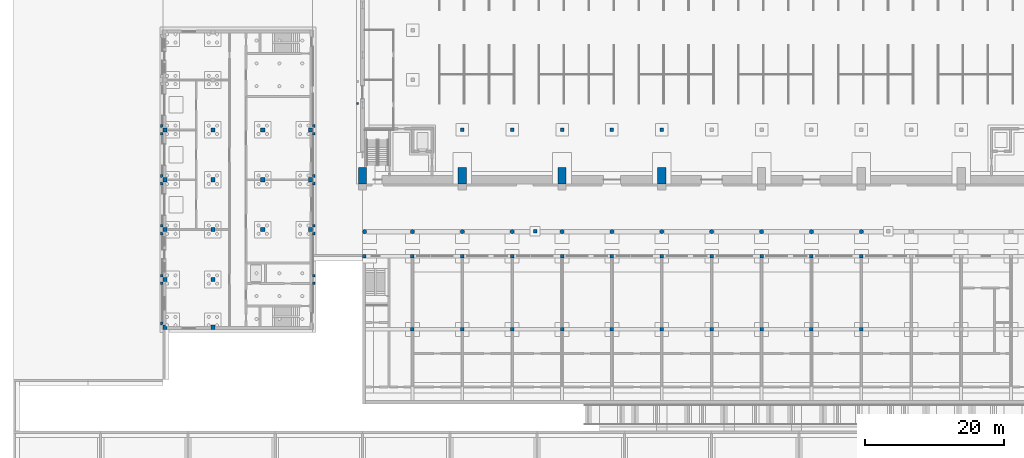
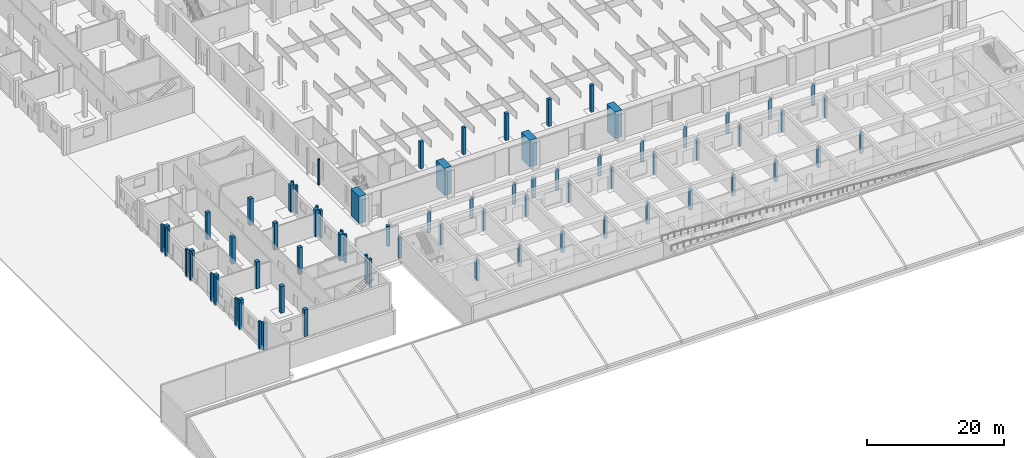
# One storey, part 14 of 73: 76 columns.
"""IFC4 building model written with IfcOpenShell, lengths in metres."""

from ifc_helpers import new_model, si_unit, direction, frame, origin, origin_2d, place, context, subcontext, project, spatial, rectangle, circle, extrude, material, material_profile, profile_set, type_object, element, save


model = new_model("IFC4")

# Units and contexts
model_context = context("Model", 3, precision=1e-05, world=origin(), true_north=direction((0.0, 1.0)))
body_context = subcontext(model_context, "Body", "Model", "MODEL_VIEW")
ifc_project = project(units=[si_unit("LENGTHUNIT", "METRE"), si_unit("AREAUNIT", "SQUARE_METRE"), si_unit("VOLUMEUNIT", "CUBIC_METRE"), si_unit("PLANEANGLEUNIT", "RADIAN"), si_unit("MASSUNIT", "GRAM", prefix="KILO")], contexts=[model_context])

# Site, building, storey
site_placement = place(None, origin())
site = spatial("IfcSite", under=ifc_project, at=site_placement, CompositionType="ELEMENT")
building_placement = place(site_placement, origin())
building = spatial("IfcBuilding", under=site, at=building_placement, Name="Alderwick Market Hall", CompositionType="ELEMENT")
storey_placement = place(building_placement, origin())
storey = spatial("IfcBuildingStorey", under=building, at=storey_placement, Name="LG", CompositionType="ELEMENT", Elevation=0.0)

# Columns
ifc_material_1 = material(Name="Concrete 5000 psi (f'c 35 MPa)", Category="concrete")
ifc_material_profile_1 = material_profile(ifc_material_1, circle(Radius=0.300048828125, at=origin_2d()), Name="A RC Colonnade Column D600")
ifc_profile_set_1 = profile_set([ifc_material_profile_1], Name="Concrete 5000 psi (f'c 35 MPa)")
column_type_1 = type_object("IfcColumnType", Name="A RC Colonnade Column D600", PredefinedType="COLUMN", material=ifc_profile_set_1)
for number, where, z_axis, x_axis, name in (
    (1, (50.699951171875, 42.89990234375, 0.0), (0.0, 0.0, 1.0), (1.0, 0.0, 0.0), "A.S.col.C00"),
    (2, (57.60009765625, 42.89990234375, 0.0), (0.0, 0.0, 1.0), (1.0, 0.0, 0.0), "A.S.col.C01"),
    (3, (64.800048828125, 42.89990234375, 0.0), (0.0, 0.0, 1.0), (1.0, 0.0, 0.0), "A.S.col.C02"),
    (4, (72.0, 42.89990234375, 0.0), (0.0, 0.0, 1.0), (1.0, 0.0, 0.0), "A.S.col.C03"),
    (5, (79.199951171875, 42.89990234375, 0.0), (0.0, 0.0, 1.0), (1.0, 0.0, 0.0), "A.S.col.C04"),
    (6, (86.39990234375, 42.89990234375, 0.0), (0.0, 0.0, 1.0), (1.0, 0.0, 0.0), "A.S.col.C05"),
    (7, (93.60009765625, 42.89990234375, 0.0), (0.0, 0.0, 1.0), (1.0, 0.0, 0.0), "A.S.col.C06"),
    (8, (100.800048828125, 42.89990234375, 0.0), (0.0, 0.0, 1.0), (1.0, 0.0, 0.0), "A.S.col.C07"),
    (9, (108.0, 42.89990234375, 0.0), (0.0, 0.0, 1.0), (1.0, 0.0, 0.0), "A.S.col.C08"),
    (10, (115.199951171875, 42.89990234375, 0.0), (0.0, 0.0, 1.0), (1.0, 0.0, 0.0), "A.S.col.C09"),
    (11, (122.39990234375, 42.89990234375, 0.0), (0.0, 0.0, 1.0), (1.0, 0.0, 0.0), "A.S.col.C10"),
):
    element("IfcColumn", number, at=place(storey_placement, frame(where, z_axis=z_axis, x_axis=x_axis)), inside=storey, type_object=column_type_1, Name=name, PredefinedType="COLUMN", context=body_context, shape_type="SweptSolid", body=[
        extrude(circle(Radius=0.300048828125, at=origin_2d()), origin(), (0.0, 0.0, 1.0), 3.60009765625),
    ])
ifc_material_profile_2 = material_profile(ifc_material_1, rectangle(XDim=0.5, YDim=0.5, at=origin_2d()), Name="A RC Column 500x500")
ifc_profile_set_2 = profile_set([ifc_material_profile_2], Name="Concrete 5000 psi (f'c 35 MPa)")
column_type_2 = type_object("IfcColumnType", Name="A RC Column 500x500", PredefinedType="COLUMN", material=ifc_profile_set_2)
for number, where, z_axis, x_axis, name in (
    (12, (50.64990234375, 39.35009765625, 0.0), (0.0, 0.0, 1.0), (1.0, 0.0, 0.0), "A.S.col.F00"),
    (13, (57.60009765625, 39.35009765625, 0.0), (0.0, 0.0, 1.0), (1.0, 0.0, 0.0), "A.S.col.F01"),
    (14, (64.800048828125, 39.35009765625, 0.0), (0.0, 0.0, 1.0), (1.0, 0.0, 0.0), "A.S.col.F02"),
    (15, (72.0, 39.35009765625, 0.0), (0.0, 0.0, 1.0), (1.0, 0.0, 0.0), "A.S.col.F03"),
    (16, (79.199951171875, 39.35009765625, 0.0), (0.0, 0.0, 1.0), (1.0, 0.0, 0.0), "A.S.col.F04"),
    (17, (86.39990234375, 39.35009765625, 0.0), (0.0, 0.0, 1.0), (1.0, 0.0, 0.0), "A.S.col.F05"),
    (18, (93.60009765625, 39.35009765625, 0.0), (0.0, 0.0, 1.0), (1.0, 0.0, 0.0), "A.S.col.F06"),
    (19, (100.800048828125, 39.35009765625, 0.0), (0.0, 0.0, 1.0), (1.0, 0.0, 0.0), "A.S.col.F07"),
    (20, (108.0, 39.35009765625, 0.0), (0.0, 0.0, 1.0), (1.0, 0.0, 0.0), "A.S.col.F08"),
    (21, (115.199951171875, 39.35009765625, 0.0), (0.0, 0.0, 1.0), (1.0, 0.0, 0.0), "A.S.col.F09"),
    (22, (122.39990234375, 39.35009765625, 0.0), (0.0, 0.0, 1.0), (1.0, 0.0, 0.0), "A.S.col.F10"),
    (23, (57.60009765625, 28.800048828125, 0.0), (0.0, 0.0, 1.0), (1.0, 0.0, 0.0), "A.S.col.M00"),
    (24, (64.800048828125, 28.800048828125, 0.0), (0.0, 0.0, 1.0), (1.0, 0.0, 0.0), "A.S.col.M01"),
    (25, (72.0, 28.800048828125, 0.0), (0.0, 0.0, 1.0), (1.0, 0.0, 0.0), "A.S.col.M02"),
    (26, (79.199951171875, 28.800048828125, 0.0), (0.0, 0.0, 1.0), (1.0, 0.0, 0.0), "A.S.col.M03"),
    (27, (86.39990234375, 28.800048828125, 0.0), (0.0, 0.0, 1.0), (1.0, 0.0, 0.0), "A.S.col.M04"),
    (28, (93.60009765625, 28.800048828125, 0.0), (0.0, 0.0, 1.0), (1.0, 0.0, 0.0), "A.S.col.M05"),
    (29, (100.800048828125, 28.800048828125, 0.0), (0.0, 0.0, 1.0), (1.0, 0.0, 0.0), "A.S.col.M06"),
    (30, (108.0, 28.800048828125, 0.0), (0.0, 0.0, 1.0), (1.0, 0.0, 0.0), "A.S.col.M07"),
    (31, (115.199951171875, 28.800048828125, 0.0), (0.0, 0.0, 1.0), (1.0, 0.0, 0.0), "A.S.col.M08"),
    (32, (122.39990234375, 28.800048828125, 0.0), (0.0, 0.0, 1.0), (1.0, 0.0, 0.0), "A.S.col.M09"),
):
    element("IfcColumn", number, at=place(storey_placement, frame(where, z_axis=z_axis, x_axis=x_axis)), inside=storey, type_object=column_type_2, Name=name, PredefinedType="COLUMN", context=body_context, shape_type="SweptSolid", body=[
        extrude(rectangle(XDim=0.5, YDim=0.5, at=origin_2d()), origin(), (0.0, 0.0, 1.0), 3.699951171875),
    ])
ifc_material_profile_3 = material_profile(ifc_material_1, rectangle(XDim=0.35009765625, YDim=0.39990234375, at=origin_2d()), Name="B Paired Pilaster 350x400")
ifc_profile_set_3 = profile_set([ifc_material_profile_3], Name="Concrete 5000 psi (f'c 35 MPa)")
column_type_3 = type_object("IfcColumnType", Name="B Paired Pilaster 350x400", PredefinedType="COLUMN", material=ifc_profile_set_3)
for number, where, z_axis, x_axis, name in (
    (33, (21.425048828125, 29.64990234375, -0.25), (0.0, 0.0, 1.0), (1.0, 0.0, 0.0), "Pilaster W01"),
    (34, (21.425048828125, 35.449951171875, -0.25), (0.0, 0.0, 1.0), (1.0, 0.0, 0.0), "Pilaster W02"),
    (35, (21.425048828125, 36.550048828125, -0.25), (0.0, 0.0, 1.0), (1.0, 0.0, 0.0), "Pilaster W03"),
    (36, (21.425048828125, 42.64990234375, -0.25), (0.0, 0.0, 1.0), (1.0, 0.0, 0.0), "Pilaster W04"),
    (37, (21.425048828125, 43.75, -0.25), (0.0, 0.0, 1.0), (1.0, 0.0, 0.0), "Pilaster W05"),
    (38, (21.425048828125, 49.85009765625, -0.25), (0.0, 0.0, 1.0), (1.0, 0.0, 0.0), "Pilaster W06"),
    (39, (21.425048828125, 50.949951171875, -0.25), (0.0, 0.0, 1.0), (1.0, 0.0, 0.0), "Pilaster W07"),
    (40, (21.425048828125, 57.050048828125, -0.25), (0.0, 0.0, 1.0), (1.0, 0.0, 0.0), "Pilaster W08"),
    (41, (21.425048828125, 58.14990234375, -0.25), (0.0, 0.0, 1.0), (1.0, 0.0, 0.0), "Pilaster W09"),
    (42, (43.375, 35.449951171875, -0.25), (0.0, 0.0, 1.0), (1.0, 0.0, 0.0), "Pilaster E01"),
    (43, (43.375, 36.550048828125, -0.25), (0.0, 0.0, 1.0), (1.0, 0.0, 0.0), "Pilaster E02"),
    (44, (43.375, 42.64990234375, -0.25), (0.0, 0.0, 1.0), (1.0, 0.0, 0.0), "Pilaster E03"),
    (45, (43.375, 43.75, -0.25), (0.0, 0.0, 1.0), (1.0, 0.0, 0.0), "Pilaster E04"),
    (46, (43.375, 49.85009765625, -0.25), (0.0, 0.0, 1.0), (1.0, 0.0, 0.0), "Pilaster E05"),
    (47, (43.375, 50.949951171875, -0.25), (0.0, 0.0, 1.0), (1.0, 0.0, 0.0), "Pilaster E06"),
    (48, (43.375, 57.050048828125, -0.25), (0.0, 0.0, 1.0), (1.0, 0.0, 0.0), "Pilaster E07"),
    (49, (43.375, 58.14990234375, -0.25), (0.0, 0.0, 1.0), (1.0, 0.0, 0.0), "Pilaster E08"),
):
    element("IfcColumn", number, at=place(storey_placement, frame(where, z_axis=z_axis, x_axis=x_axis)), inside=storey, type_object=column_type_3, Name=name, PredefinedType="COLUMN", context=body_context, shape_type="SweptSolid", body=[
        extrude(rectangle(XDim=0.35009765625, YDim=0.39990234375, at=origin_2d()), origin(), (0.0, 0.0, 1.0), 5.050048828125),
    ])
ifc_material_2 = material(Name="Precast concrete 6000 psi (f'c 42 MPa)", Category="concrete")
ifc_material_profile_4 = material_profile(ifc_material_2, rectangle(XDim=0.60009765625, YDim=0.60009765625, at=origin_2d()), Name="B Precast Pier 600x600")
ifc_profile_set_4 = profile_set([ifc_material_profile_4], Name="Precast concrete 6000 psi (f'c 42 MPa)")
column_type_4 = type_object("IfcColumnType", Name="B Precast Pier 600x600", PredefinedType="COLUMN", material=ifc_profile_set_4)
for number, where, z_axis, x_axis, name in (
    (50, (21.89990234375, 29.10009765625, 0.0), (0.0, 0.0, 1.0), (1.0, 0.0, 0.0), "B.S.col.LG.003-003"),
    (51, (21.89990234375, 36.0, 0.0), (0.0, 0.0, 1.0), (1.0, 0.0, 0.0), "B.S.col.LG.003-072"),
    (52, (21.89990234375, 43.199951171875, 0.0), (0.0, 0.0, 1.0), (1.0, 0.0, 0.0), "B.S.col.LG.003-144"),
    (53, (21.89990234375, 50.39990234375, 0.0), (0.0, 0.0, 1.0), (1.0, 0.0, 0.0), "B.S.col.LG.003-216"),
    (54, (21.89990234375, 57.60009765625, 0.0), (0.0, 0.0, 1.0), (1.0, 0.0, 0.0), "B.S.col.LG.003-288"),
    (55, (28.800048828125, 29.10009765625, 0.0), (0.0, 0.0, 1.0), (1.0, 0.0, 0.0), "B.S.col.LG.072-003"),
    (56, (42.89990234375, 43.199951171875, 0.0), (0.0, 0.0, 1.0), (1.0, 0.0, 0.0), "B.S.col.LG.213-144"),
    (57, (42.89990234375, 50.39990234375, 0.0), (0.0, 0.0, 1.0), (1.0, 0.0, 0.0), "B.S.col.LG.213-216"),
    (58, (42.89990234375, 57.60009765625, 0.0), (0.0, 0.0, 1.0), (1.0, 0.0, 0.0), "B.S.col.LG.213-288"),
):
    element("IfcColumn", number, at=place(storey_placement, frame(where, z_axis=z_axis, x_axis=x_axis)), inside=storey, type_object=column_type_4, Name=name, PredefinedType="COLUMN", context=body_context, shape_type="SweptSolid", body=[
        extrude(rectangle(XDim=0.60009765625, YDim=0.60009765625, at=origin_2d()), origin(), (0.0, 0.0, 1.0), 4.800048828125),
    ])
ifc_material_profile_5 = material_profile(ifc_material_1, rectangle(XDim=0.60009765625, YDim=0.60009765625, at=origin_2d()), Name="B RC Column 600x600")
ifc_profile_set_5 = profile_set([ifc_material_profile_5], Name="Concrete 5000 psi (f'c 35 MPa)")
column_type_5 = type_object("IfcColumnType", Name="B RC Column 600x600", PredefinedType="COLUMN", material=ifc_profile_set_5)
for number, where, z_axis, x_axis, name in (
    (59, (28.800048828125, 36.0, 0.0), (0.0, 0.0, 1.0), (1.0, 0.0, 0.0), "B.S.col.LG.072-072"),
    (60, (28.800048828125, 43.199951171875, 0.0), (0.0, 0.0, 1.0), (1.0, 0.0, 0.0), "B.S.col.LG.072-144"),
    (61, (28.800048828125, 50.39990234375, 0.0), (0.0, 0.0, 1.0), (1.0, 0.0, 0.0), "B.S.col.LG.072-216"),
    (62, (28.800048828125, 57.60009765625, 0.0), (0.0, 0.0, 1.0), (1.0, 0.0, 0.0), "B.S.col.LG.072-288"),
    (63, (36.0, 43.199951171875, 0.0), (0.0, 0.0, 1.0), (1.0, 0.0, 0.0), "B.S.col.LG.144-144"),
    (64, (36.0, 50.39990234375, 0.0), (0.0, 0.0, 1.0), (1.0, 0.0, 0.0), "B.S.col.LG.144-216"),
    (65, (36.0, 57.60009765625, 0.0), (0.0, 0.0, 1.0), (1.0, 0.0, 0.0), "B.S.col.LG.144-288"),
):
    element("IfcColumn", number, at=place(storey_placement, frame(where, z_axis=z_axis, x_axis=x_axis)), inside=storey, type_object=column_type_5, Name=name, PredefinedType="COLUMN", context=body_context, shape_type="SweptSolid", body=[
        extrude(rectangle(XDim=0.60009765625, YDim=0.60009765625, at=origin_2d()), origin(), (0.0, 0.0, 1.0), 4.800048828125),
    ])
ifc_material_profile_6 = material_profile(ifc_material_1, rectangle(XDim=0.5, YDim=0.5, at=origin_2d()), Name="RC 500x500")
ifc_profile_set_6 = profile_set([ifc_material_profile_6], Name="Concrete 5000 psi (f'c 35 MPa)")
column_type_6 = type_object("IfcColumnType", Name="H Column 500x500", PredefinedType="COLUMN", material=ifc_profile_set_6)
for number, where, z_axis, x_axis, name in (
    (66, (64.800048828125, 57.639892578125, 0.0), (0.0, 0.0, 1.0), (1.0, 0.0, 0.0), "Gallery column S1"),
    (67, (72.0, 57.639892578125, 0.0), (0.0, 0.0, 1.0), (1.0, 0.0, 0.0), "Gallery column S3"),
    (68, (79.199951171875, 57.639892578125, 0.0), (0.0, 0.0, 1.0), (1.0, 0.0, 0.0), "Gallery column S5"),
    (69, (86.39990234375, 57.639892578125, 0.0), (0.0, 0.0, 1.0), (1.0, 0.0, 0.0), "Gallery column S7"),
    (70, (93.60009765625, 57.639892578125, 0.0), (0.0, 0.0, 1.0), (1.0, 0.0, 0.0), "Gallery column S9"),
):
    element("IfcColumn", number, at=place(storey_placement, frame(where, z_axis=z_axis, x_axis=x_axis)), inside=storey, type_object=column_type_6, Name=name, PredefinedType="COLUMN", context=body_context, shape_type="SweptSolid", body=[
        extrude(rectangle(XDim=0.5, YDim=0.5, at=origin_2d()), origin(), (0.0, 0.0, 1.0), 4.800048828125),
    ])
ifc_material_profile_7 = material_profile(ifc_material_1, rectangle(XDim=0.5, YDim=0.5, at=origin_2d()), Name="P RC Corbel Pier 500x500")
ifc_profile_set_7 = profile_set([ifc_material_profile_7], Name="Concrete 5000 psi (f'c 35 MPa)")
column_type_7 = type_object("IfcColumnType", Name="P RC Corbel Pier 500x500", PredefinedType="COLUMN", material=ifc_profile_set_7)
column_1_placement = place(storey_placement, frame((75.300048828125, 42.949951171875, 0.0), z_axis=(0.0, 0.0, 1.0), x_axis=(1.0, 0.0, 0.0)))
element("IfcColumn", 71, at=column_1_placement, inside=storey, type_object=column_type_7, Name="Corbel pier", PredefinedType="COLUMN", context=body_context, shape_type="SweptSolid", body=[
    extrude(rectangle(XDim=0.5, YDim=0.5, at=origin_2d()), origin(), (0.0, 0.0, 1.0), 3.632080078125),
])
ifc_material_profile_8 = material_profile(ifc_material_1, rectangle(XDim=1.199951171875, YDim=2.39990234375, at=origin_2d()), Name="RC 1200x2400")
ifc_profile_set_8 = profile_set([ifc_material_profile_8], Name="Concrete 5000 psi (f'c 35 MPa)")
column_type_8 = type_object("IfcColumnType", Name="R Buttress Pier 1200x2400", PredefinedType="COLUMN", material=ifc_profile_set_8)
for number, where, z_axis, x_axis, name in (
    (72, (50.39990234375, 51.0, 0.0), (0.0, 0.0, 1.0), (1.0, 0.0, 0.0), "Buttress pier S1 LG"),
    (73, (64.800048828125, 51.0, 0.0), (0.0, 0.0, 1.0), (1.0, 0.0, 0.0), "Buttress pier S2 LG"),
    (74, (79.199951171875, 51.0, 0.0), (0.0, 0.0, 1.0), (1.0, 0.0, 0.0), "Buttress pier S3 LG"),
    (75, (93.60009765625, 51.0, 0.0), (0.0, 0.0, 1.0), (1.0, 0.0, 0.0), "Buttress pier S4 LG"),
):
    element("IfcColumn", number, at=place(storey_placement, frame(where, z_axis=z_axis, x_axis=x_axis)), inside=storey, type_object=column_type_8, Name=name, PredefinedType="COLUMN", context=body_context, shape_type="SweptSolid", body=[
        extrude(rectangle(XDim=1.199951171875, YDim=2.39990234375, at=origin_2d()), origin(), (0.0, 0.0, 1.0), 4.800048828125),
    ])
ifc_material_profile_9 = material_profile(ifc_material_1, rectangle(XDim=0.300048828125, YDim=0.300048828125, at=origin_2d()), Name="RC 300x300")
ifc_profile_set_9 = profile_set([ifc_material_profile_9], Name="Concrete 5000 psi (f'c 35 MPa)")
column_type_9 = type_object("IfcColumnType", Name="R Landing Post 300x300", PredefinedType="COLUMN", material=ifc_profile_set_9)
column_2_placement = place(storey_placement, frame((49.699951171875, 61.39990234375, 0.0), z_axis=(0.0, 0.0, 1.0), x_axis=(1.0, 0.0, 0.0)))
element("IfcColumn", 76, at=column_2_placement, inside=storey, type_object=column_type_9, Name="Landing 2 post 1", PredefinedType="COLUMN", context=body_context, shape_type="SweptSolid", body=[
    extrude(rectangle(XDim=0.300048828125, YDim=0.300048828125, at=origin_2d()), origin(), (0.0, 0.0, 1.0), 4.60009765625),
])

save(model, "model.ifc")
